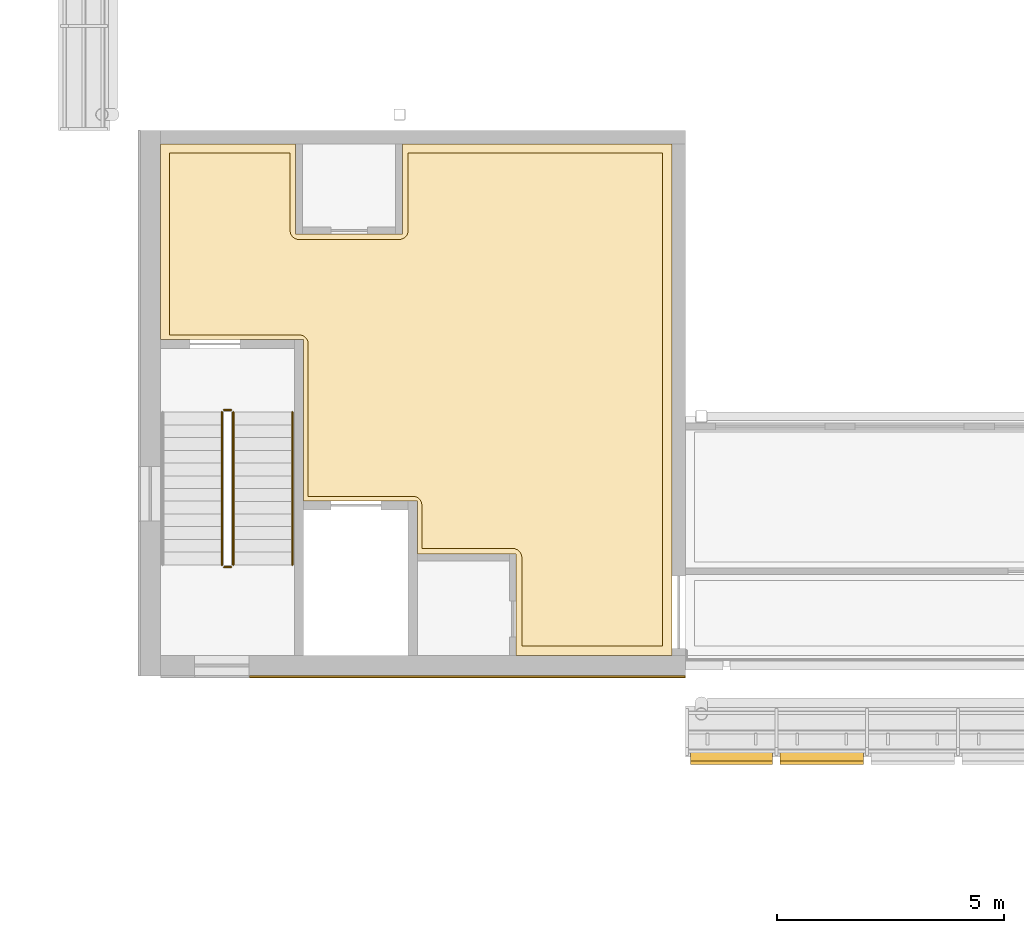
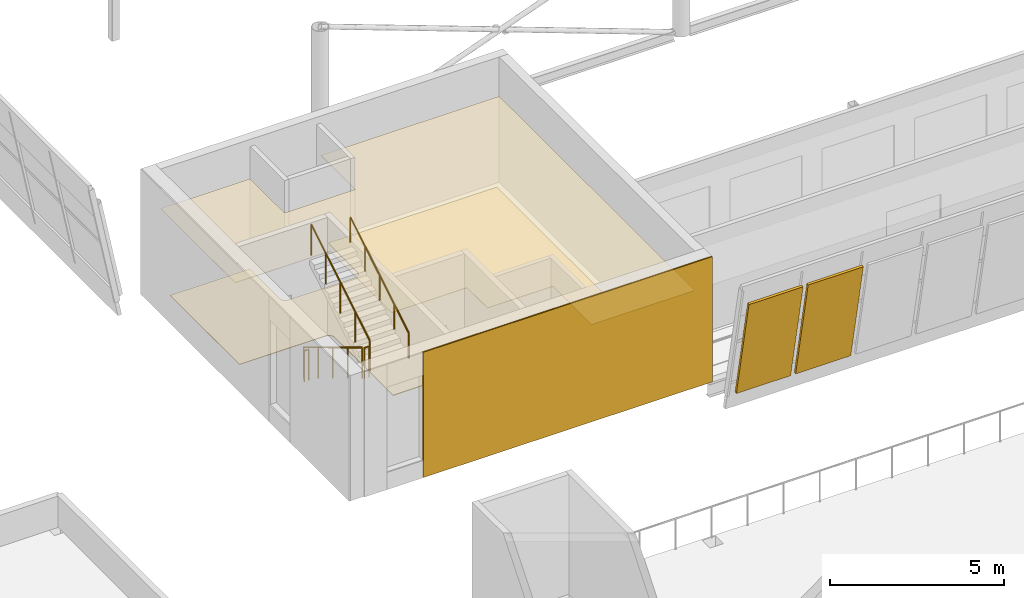
# One storey, part 80 of 95: 5 railings, 3 coverings, 2 shading devices.
"""IFC4 building model written with IfcOpenShell, lengths in metres."""

from ifc_helpers import new_model, si_unit, direction, frame, origin, origin_2d, place, context, subcontext, project, spatial, polyline, circle, outline, extrude, material, layer, layer_set, type_object, element, save


model = new_model("IFC4")

# Units and contexts
model_context = context("Model", 3, precision=1e-05, world=origin(), true_north=direction((0.0, 1.0)))
body_context = subcontext(model_context, "Body", "Model", "MODEL_VIEW")
ifc_project = project(units=[si_unit("LENGTHUNIT", "METRE"), si_unit("AREAUNIT", "SQUARE_METRE"), si_unit("VOLUMEUNIT", "CUBIC_METRE"), si_unit("PLANEANGLEUNIT", "RADIAN"), si_unit("MASSUNIT", "GRAM", prefix="KILO")], contexts=[model_context])

# Site, building, storey
site_placement = place(None, origin())
site = spatial("IfcSite", under=ifc_project, at=site_placement, CompositionType="ELEMENT")
building_placement = place(site_placement, origin())
building = spatial("IfcBuilding", under=site, at=building_placement, Name="Windward Yard Aquatics Centre", CompositionType="ELEMENT")
storey_placement = place(building_placement, frame((0.0, 0.0, 9.39990234375)))
storey = spatial("IfcBuildingStorey", under=building, at=storey_placement, Name="L02", CompositionType="ELEMENT", Elevation=9.39990234375)

# Covering
ifc_material_1 = material(Name="Polished screed")
ifc_layer_1 = layer(ifc_material_1, 0.0400390625)
ifc_layer_set_1 = layer_set([ifc_layer_1], Name="H Floor Finish Screed 40")
covering_type_1 = type_object("IfcCoveringType", Name="H Floor Finish Screed 40", PredefinedType="FLOORING", material=ifc_layer_set_1)
covering_1_placement = place(storey_placement, origin())
element("IfcCovering", 1, at=covering_1_placement, inside=storey, type_object=covering_type_1, Name="Core Lobby SW floor finish", PredefinedType="FLOORING", context=body_context, shape_type="SweptSolid", body=[
    extrude(outline(polyline([(52.64990234375, 33.5), (52.64990234375, 37.5), (55.300048828125, 37.5), (55.301025390625, 35.780517578125), (55.30859375, 35.741943359375), (55.323486328125, 35.705810546875), (55.345458984375, 35.673095703125), (55.373046875, 35.6455078125), (55.388916015625, 35.6337890625), (55.423583984375, 35.615234375), (55.4609375, 35.603759765625), (55.5, 35.60009765625), (57.699951171875, 35.60009765625), (57.739013671875, 35.603759765625), (57.776611328125, 35.615234375), (57.81103515625, 35.6337890625), (57.826904296875, 35.6455078125), (57.8544921875, 35.673095703125), (57.87646484375, 35.705810546875), (57.891357421875, 35.741943359375), (57.89892578125, 35.780517578125), (57.89990234375, 35.800048828125), (57.89990234375, 37.5), (63.5, 37.5), (63.5, 26.64990234375), (60.39990234375, 26.64990234375), (60.39990234375, 28.60009765625), (60.39892578125, 28.61962890625), (60.391357421875, 28.658203125), (60.37646484375, 28.6943359375), (60.3544921875, 28.726806640625), (60.326904296875, 28.754638671875), (60.31103515625, 28.766357421875), (60.294189453125, 28.7763671875), (60.258056640625, 28.79150390625), (60.239013671875, 28.796142578125), (60.199951171875, 28.800048828125), (58.199951171875, 28.800048828125), (58.198974609375, 29.76953125), (58.19140625, 29.80810546875), (58.184814453125, 29.826416015625), (58.166259765625, 29.861083984375), (58.154541015625, 29.876953125), (58.126953125, 29.904541015625), (58.111083984375, 29.916259765625), (58.09423828125, 29.926513671875), (58.05810546875, 29.94140625), (58.0390625, 29.9462890625), (58.0, 29.949951171875), (55.699951171875, 29.949951171875), (55.699951171875, 33.300048828125), (55.698974609375, 33.319580078125), (55.69140625, 33.358154296875), (55.676513671875, 33.394287109375), (55.654541015625, 33.427001953125), (55.626953125, 33.45458984375), (55.611083984375, 33.46630859375), (55.576416015625, 33.48486328125), (55.5390625, 33.49609375), (55.5, 33.5), (52.64990234375, 33.5)])), origin(), (0.0, 0.0, 1.0), 0.02001953125),
])

# Railings
ifc_material_2 = material(Name="Stainless steel 1.4529", Category="steel")
railing_type_1 = type_object("IfcRailingType", Name="H Guard Steel 1100", PredefinedType="GUARDRAIL", material=ifc_material_2)
railing_1_placement = place(storey_placement, frame((53.800048828125, 31.800048828125, 0.16943359375)))
element("IfcRailing", 2, at=railing_1_placement, inside=storey, type_object=railing_type_1, Name="L02 ST1 stair guard 1", PredefinedType="GUARDRAIL", context=body_context, shape_type="SweptSolid", body=[
    extrude(circle(Radius=0.02392578125, at=origin_2d()), frame((0.0, 0.0, 1.076171875), z_axis=(0.0, -0.855836976705, 0.517245656632), x_axis=(1.0, 0.0, 0.0)), (0.0, 0.0, 1.0), 3.926025390625),
    extrude(circle(Radius=0.02099609375, at=origin_2d()), origin(), (0.0, 0.0, 1.0), 1.052001953125),
    extrude(circle(Radius=0.02099609375, at=origin_2d()), frame((0.0, -0.840087890625, 0.5078125)), (0.0, 0.0, 1.0), 1.052001953125),
    extrude(circle(Radius=0.02099609375, at=origin_2d()), frame((0.0, -1.68017578125, 1.015380859375)), (0.0, 0.0, 1.0), 1.052001953125),
    extrude(circle(Radius=0.02099609375, at=origin_2d()), frame((0.0, -2.52001953125, 1.52294921875)), (0.0, 0.0, 1.0), 1.052001953125),
    extrude(circle(Radius=0.02099609375, at=origin_2d()), frame((0.0, -3.360107421875, 2.03076171875)), (0.0, 0.0, 1.0), 1.052001953125),
])
railing_2_placement = place(storey_placement, frame((53.85009765625, 28.389892578125, 2.2001953125)))
element("IfcRailing", 3, at=railing_2_placement, inside=storey, type_object=railing_type_1, Name="L02 ST1 stair guard 2", PredefinedType="GUARDRAIL", context=body_context, shape_type="SweptSolid", body=[
    extrude(circle(Radius=0.02392578125, at=origin_2d()), frame((0.0, 0.0, 1.076171875), z_axis=(1.0, 0.0, 0.0), x_axis=(0.0, 1.0, 0.0)), (0.0, 0.0, 1.0), 0.14990234375),
    extrude(circle(Radius=0.02099609375, at=origin_2d()), origin(), (0.0, 0.0, 1.0), 1.052001953125),
    extrude(circle(Radius=0.02099609375, at=origin_2d()), frame((0.14990234375, 0.0, 0.0)), (0.0, 0.0, 1.0), 1.052001953125),
])
railing_3_placement = place(storey_placement, frame((54.050048828125, 28.43994140625, 2.369384765625)))
element("IfcRailing", 4, at=railing_3_placement, inside=storey, type_object=railing_type_1, Name="L02 ST1 stair guard 3", PredefinedType="GUARDRAIL", context=body_context, shape_type="SweptSolid", body=[
    extrude(circle(Radius=0.02392578125, at=origin_2d()), frame((0.0, 0.0, 1.076171875), z_axis=(0.0, 0.855836976705, 0.517245656632), x_axis=(-1.0, 0.0, 0.0)), (0.0, 0.0, 1.0), 3.926025390625),
    extrude(circle(Radius=0.02099609375, at=origin_2d()), origin(), (0.0, 0.0, 1.0), 1.052001953125),
    extrude(circle(Radius=0.02099609375, at=origin_2d()), frame((0.0, 0.840087890625, 0.5078125)), (0.0, 0.0, 1.0), 1.052001953125),
    extrude(circle(Radius=0.02099609375, at=origin_2d()), frame((0.0, 1.68017578125, 1.015380859375)), (0.0, 0.0, 1.0), 1.052001953125),
    extrude(circle(Radius=0.02099609375, at=origin_2d()), frame((0.0, 2.52001953125, 1.52294921875)), (0.0, 0.0, 1.0), 1.052001953125),
    extrude(circle(Radius=0.02099609375, at=origin_2d()), frame((0.0, 3.360107421875, 2.03076171875)), (0.0, 0.0, 1.0), 1.052001953125),
])
railing_4_placement = place(storey_placement, frame((53.85009765625, 31.85009765625, 0.0)))
element("IfcRailing", 5, at=railing_4_placement, inside=storey, type_object=railing_type_1, Name="L02 ST1 stair guard 4", PredefinedType="GUARDRAIL", context=body_context, shape_type="SweptSolid", body=[
    extrude(circle(Radius=0.02392578125, at=origin_2d()), frame((0.0, 0.0, 1.076171875), z_axis=(1.0, 0.0, 0.0), x_axis=(0.0, 1.0, 0.0)), (0.0, 0.0, 1.0), 0.14990234375),
    extrude(circle(Radius=0.02099609375, at=origin_2d()), origin(), (0.0, 0.0, 1.0), 1.052001953125),
    extrude(circle(Radius=0.02099609375, at=origin_2d()), frame((0.14990234375, 0.0, 0.0)), (0.0, 0.0, 1.0), 1.052001953125),
])
railing_type_2 = type_object("IfcRailingType", Name="H Handrail Steel 900", PredefinedType="HANDRAIL", material=ifc_material_2)
railing_5_placement = place(storey_placement, frame((55.35009765625, 28.43994140625, 2.369384765625)))
element("IfcRailing", 6, at=railing_5_placement, inside=storey, type_object=railing_type_2, Name="L02 ST1 stair handrail 2", PredefinedType="HANDRAIL", context=body_context, shape_type="SweptSolid", body=[
    extrude(circle(Radius=0.02392578125, at=origin_2d()), frame((0.0, 0.0, 0.8759765625), z_axis=(0.0, 0.855836976705, 0.517245656632), x_axis=(-1.0, 0.0, 0.0)), (0.0, 0.0, 1.0), 3.926025390625),
    extrude(circle(Radius=0.02099609375, at=origin_2d()), origin(), (0.0, 0.0, 1.0), 0.851806640625),
    extrude(circle(Radius=0.02099609375, at=origin_2d()), frame((0.0, 0.840087890625, 0.5078125)), (0.0, 0.0, 1.0), 0.851806640625),
    extrude(circle(Radius=0.02099609375, at=origin_2d()), frame((0.0, 1.68017578125, 1.015380859375)), (0.0, 0.0, 1.0), 0.851806640625),
    extrude(circle(Radius=0.02099609375, at=origin_2d()), frame((0.0, 2.52001953125, 1.52294921875)), (0.0, 0.0, 1.0), 0.851806640625),
    extrude(circle(Radius=0.02099609375, at=origin_2d()), frame((0.0, 3.360107421875, 2.03076171875)), (0.0, 0.0, 1.0), 0.851806640625),
])

# Coverings
ifc_material_3 = material(Name="Mineral fibre tile")
ifc_layer_2 = layer(ifc_material_3, 0.02001953125)
ifc_layer_set_2 = layer_set([ifc_layer_2], Name="H Suspended Ceiling 600 x 600")
covering_type_2 = type_object("IfcCoveringType", Name="H Suspended Ceiling 600 x 600", PredefinedType="CEILING", material=ifc_layer_set_2)
covering_2_placement = place(storey_placement, frame((0.0, 0.0, 3.0)))
element("IfcCovering", 7, at=covering_2_placement, inside=storey, type_object=covering_type_2, Name="Core Lobby SW ceiling", PredefinedType="CEILING", context=body_context, shape_type="SweptSolid", body=[
    extrude(outline(polyline([(52.450439453125, 33.400390625), (52.450439453125, 37.699462890625), (55.424560546875, 37.699462890625), (55.424560546875, 35.72509765625), (55.574951171875, 35.724609375), (57.775390625, 35.72509765625), (57.775390625, 37.699462890625), (63.699462890625, 37.699462890625), (63.699462890625, 26.450439453125), (60.275390625, 26.450439453125), (60.275390625, 28.675048828125), (58.1005859375, 28.675537109375), (58.1005859375, 29.85009765625), (55.6005859375, 29.8505859375), (55.6005859375, 33.39990234375), (52.450439453125, 33.400390625)])), origin(), (0.0, 0.0, 1.0), 0.02001953125),
])
ifc_material_4 = material(Name="Natural limestone cladding", Category="masonry")
ifc_layer_3 = layer(ifc_material_4, 0.0400390625)
ifc_layer_set_3 = layer_set([ifc_layer_3], Name="H natural stone cladding 40")
covering_type_3 = type_object("IfcCoveringType", Name="H natural stone cladding 40", PredefinedType="CLADDING", material=ifc_layer_set_3)
covering_3_placement = place(storey_placement, origin())
element("IfcCovering", 8, at=covering_3_placement, inside=storey, type_object=covering_type_3, Name="Stone cladding panel 122", PredefinedType="CLADDING", context=body_context, shape_type="SweptSolid", body=[
    extrude(outline(polyline([(54.39990234375, 25.9599609375), (54.39990234375, 26.0), (64.0, 26.0), (64.0, 25.9599609375), (54.39990234375, 25.9599609375)])), origin(), (0.0, 0.0, 1.0), 4.400146484375),
])

# Shading devices
ifc_material_5 = material(Name="Aluminium extruded louvre blades, powder coated", Category="aluminium")
ifc_layer_4 = layer(ifc_material_5, 0.080078125)
ifc_layer_set_4 = layer_set([ifc_layer_4], Name="H storm louvre shutter 1802x3637")
shading_device_type = type_object("IfcShadingDeviceType", Name="H storm louvre shutter 1802x3637", PredefinedType="SHUTTER", material=ifc_layer_set_4)
shading_device_1_placement = place(storey_placement, frame((64.114990234375, 24.125, 3.850830078125), z_axis=(0.0, 0.97992466091, 0.19936814926), x_axis=(0.0, 0.19936814926, -0.97992466091)))
element("IfcShadingDevice", 9, at=shading_device_1_placement, inside=storey, type_object=shading_device_type, Name="Storm louvre S L02 A1", PredefinedType="SHUTTER", context=body_context, shape_type="SweptSolid", body=[
    extrude(outline(polyline([(0.0, 0.0), (3.636978, 0.0), (3.636978, -1.802246), (0.0, -1.802246), (0.0, 0.0)])), origin(), (0.0, 0.0, -1.0), 0.080078125),
])
shading_device_2_placement = place(storey_placement, frame((66.082275390625, 24.125, 3.850830078125), z_axis=(0.0, 0.97992466091, 0.19936814926), x_axis=(0.0, 0.19936814926, -0.97992466091)))
element("IfcShadingDevice", 10, at=shading_device_2_placement, inside=storey, type_object=shading_device_type, Name="Storm louvre S L02 A2", PredefinedType="SHUTTER", context=body_context, shape_type="SweptSolid", body=[
    extrude(outline(polyline([(0.0, 0.0), (3.636978, 0.0), (3.636978, -1.834717), (0.0, -1.834717), (0.0, 0.0)])), origin(), (0.0, 0.0, -1.0), 0.080078125),
])

save(model, "model.ifc")
